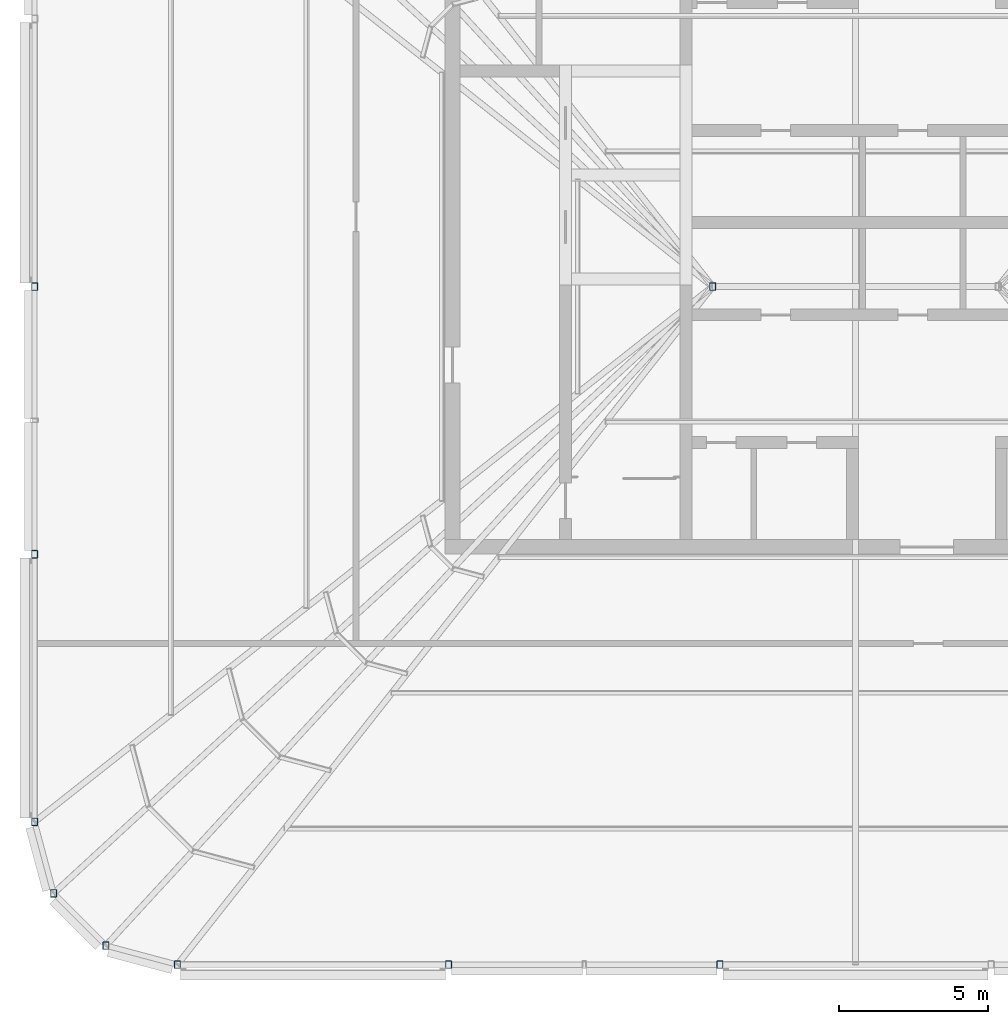
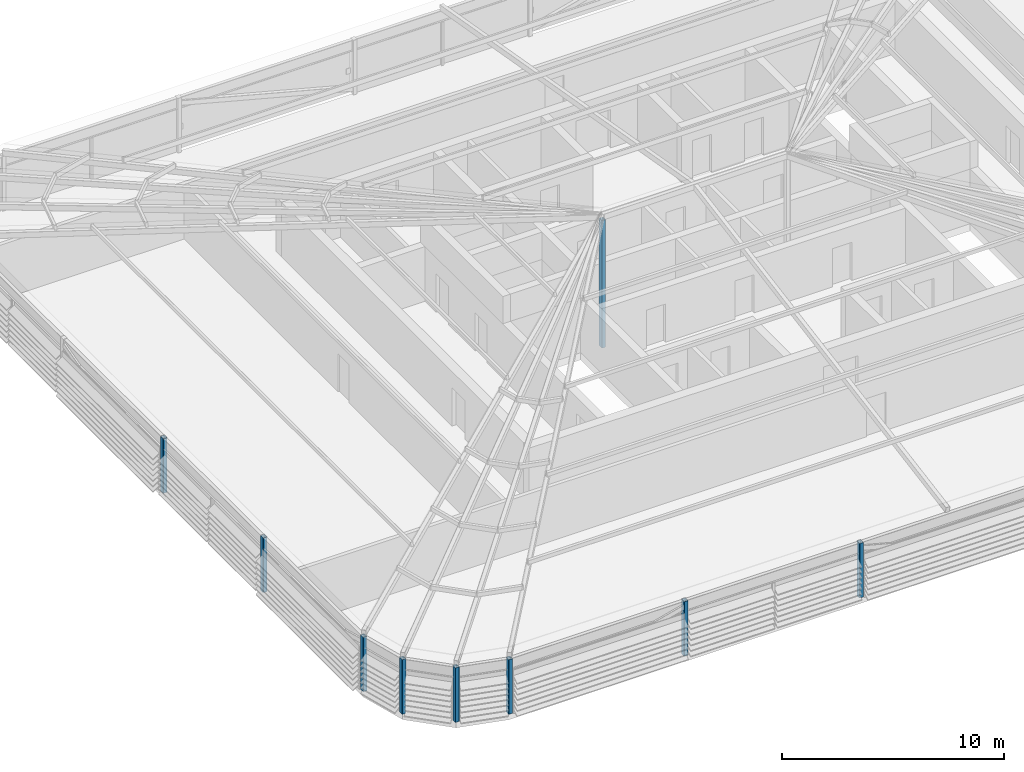
# One storey, part 1 of 46: 9 columns.
"""IFC4 building model written with IfcOpenShell, lengths in metres."""

import ifcopenshell
import ifcopenshell.guid

model = None  # the IFC model being written
_history = None  # IfcOwnerHistory: only IFC2X3 demands one
_inside = {}  # id of a spatial element -> (the spatial element, [elements in it])
_under = {}  # id of a project, library or spatial element -> (it, [spatial elements below it])
_declared = {}  # id of a project -> (the project, [libraries it declares])
_typed = {}  # id of a type object -> (the type object, [elements of that type])
_made_of = {}  # id of a material, layer set ... -> (it, [elements and type objects made of it])


def new_model(schema):
    """Start an empty IFC model of exactly this schema.

    Asked for "IFC4X3", IfcOpenShell would pick the latest addendum, in which some entities
    have other attributes; the version numbers below select the first issue.
    IFC2X3 requires an IfcOwnerHistory on every rooted entity: one is made here for all.
    """
    global model, _history
    if schema == "IFC4X3":
        model = ifcopenshell.file(schema_version=(4, 3, 0, 0))
    else:
        model = ifcopenshell.file(schema=schema)
    _inside.clear()
    _under.clear()
    _declared.clear()
    _typed.clear()
    _made_of.clear()
    _history = None
    if model.schema == "IFC2X3":
        org = make("IfcOrganization", Name="unknown")
        user = make(
            "IfcPersonAndOrganization",
            ThePerson=make("IfcPerson", FamilyName="unknown"),
            TheOrganization=org,
        )
        app = make(
            "IfcApplication",
            ApplicationDeveloper=org,
            Version="unknown",
            ApplicationFullName="unknown",
            ApplicationIdentifier="unknown",
        )
        _history = make(
            "IfcOwnerHistory",
            OwningUser=user,
            OwningApplication=app,
            ChangeAction="ADDED",
            CreationDate=0,
        )
    return model


def make(cls, **values):
    """One entity of the class cls with the attributes given. An attribute that is None is left unset."""
    return model.create_entity(
        cls, **{name: value for name, value in values.items() if value is not None}
    )


def rooted(cls, **values):
    """An entity with a GlobalId (a new one), such as an element, a storey or a relation."""
    return make(cls, GlobalId=ifcopenshell.guid.new(), OwnerHistory=_history, **values)


def si_unit(unit_type, name, prefix=None):
    """IfcSIUnit, for example si_unit("LENGTHUNIT", "METRE", prefix="MILLI")."""
    return make("IfcSIUnit", UnitType=unit_type, Prefix=prefix, Name=name)


def assignment(units):
    """IfcUnitAssignment: the units of a project."""
    return None if units is None else make("IfcUnitAssignment", Units=units)


def point(xyz):
    """IfcCartesianPoint."""
    return None if xyz is None else make("IfcCartesianPoint", Coordinates=xyz)


def direction(xyz):
    """IfcDirection."""
    return None if xyz is None else make("IfcDirection", DirectionRatios=xyz)


def frame(location, z_axis=None, x_axis=None):
    """IfcAxis2Placement3D, a coordinate frame: its origin and axes. An axis left out is left unset."""
    return make(
        "IfcAxis2Placement3D",
        Location=point(location),
        Axis=direction(z_axis),
        RefDirection=direction(x_axis),
    )


def frame_2d(location, x_axis=None):
    """IfcAxis2Placement2D, a coordinate frame in the plane: its origin and x axis."""
    return make(
        "IfcAxis2Placement2D", Location=point(location), RefDirection=direction(x_axis)
    )


def origin():
    """The frame at (0, 0, 0) with its axes left unset."""
    return frame((0.0, 0.0, 0.0))


def origin_2d():
    """The frame at (0, 0) in the plane with its x axis left unset."""
    return frame_2d((0.0, 0.0))


def place(relative_to, where):
    """IfcLocalPlacement: puts the frame where relative to a parent placement (None: the world)."""
    return make(
        "IfcLocalPlacement", PlacementRelTo=relative_to, RelativePlacement=where
    )


def context(
    kind, dimensions, precision=None, world=None, true_north=None, identifier=None
):
    """IfcGeometricRepresentationContext, for example the 3D "Model" context."""
    return make(
        "IfcGeometricRepresentationContext",
        ContextIdentifier=identifier,
        ContextType=kind,
        CoordinateSpaceDimension=dimensions,
        Precision=precision,
        WorldCoordinateSystem=world,
        TrueNorth=true_north,
    )


def subcontext(parent, identifier, kind, view, scale=None):
    """IfcGeometricRepresentationSubContext, for example "Body" below "Model"."""
    return make(
        "IfcGeometricRepresentationSubContext",
        ContextIdentifier=identifier,
        ContextType=kind,
        ParentContext=parent,
        TargetScale=scale,
        TargetView=view,
    )


def project(units=None, contexts=None):
    """IfcProject with its units and contexts."""
    return rooted(
        "IfcProject",
        Name="project",
        RepresentationContexts=contexts,
        UnitsInContext=assignment(units),
    )


def spatial(cls, under=None, at=None, **own):
    """A site, building, storey or space (cls), placed at a placement, below another one or the project."""
    s = rooted(cls, ObjectPlacement=at, **own)
    if under is not None:
        _under.setdefault(under.id(), (under, []))[1].append(s)
    return s


def profile(cls, at=None, kind="AREA", **sizes):
    """A parametric profile (cls). Its sizes go by their IFC names, for example OverallWidth=200.0."""
    return make(cls, ProfileType=kind, Position=at, **sizes)


def hollow_rectangle(**sizes):
    """IfcRectangleHollowProfileDef."""
    return profile("IfcRectangleHollowProfileDef", **sizes)


def extrude(swept, where, along, depth):
    """IfcExtrudedAreaSolid: the profile swept, set in the frame where, extruded along a direction by depth."""
    return make(
        "IfcExtrudedAreaSolid",
        SweptArea=swept,
        Position=where,
        ExtrudedDirection=direction(along),
        Depth=depth,
    )


def shape(context_of_items, identifier, shape_type, items):
    """IfcShapeRepresentation: the items that make up one representation, for example the "Body"."""
    return make(
        "IfcShapeRepresentation",
        ContextOfItems=context_of_items,
        RepresentationIdentifier=identifier,
        RepresentationType=shape_type,
        Items=items,
    )


def material(Name=None, Category=None):
    """IfcMaterial."""
    return make("IfcMaterial", Name=Name, Category=Category)


def material_profile(
    of_material, cross_section, Name=None, Category=None, Priority=None
):
    """IfcMaterialProfile: a cross section and its material."""
    return make(
        "IfcMaterialProfile",
        Name=Name,
        Material=of_material,
        Profile=cross_section,
        Priority=Priority,
        Category=Category,
    )


def profile_set(profiles, Name=None, composite=None):
    """IfcMaterialProfileSet."""
    return make(
        "IfcMaterialProfileSet",
        Name=Name,
        MaterialProfiles=profiles,
        CompositeProfile=composite,
    )


def made_of(thing, what):
    """Note that an element or type object is made of a material, layer set ...; save() writes the relation."""
    if what is not None:
        _made_of.setdefault(what.id(), (what, []))[1].append(thing)
    return thing


def type_object(cls, material=None, **own):
    """A type object (cls), such as IfcWallType, which elements share."""
    return made_of(rooted(cls, **own), material)


def element(
    cls,
    number,
    at=None,
    inside=None,
    cuts=None,
    type_object=None,
    material=None,
    context=None,
    identifier="Body",
    shape_type=None,
    held_by="IfcProductDefinitionShape",
    body=None,
    shapes=None,
    **own,
):
    """One element of the class cls, such as IfcWall. Its Tag is "e" and its number.

    at: its placement. inside: the storey or other place that contains it. cuts: it is an
    opening in that element (IfcRelVoidsElement). A single representation is given by context,
    identifier, shape_type and body (its items); several are given by shapes. held_by: the class
    of the entity that holds the representations. save() writes the other relations.
    """
    e = rooted(cls, Tag="e%d" % number, ObjectPlacement=at, **own)
    if body is not None:
        shapes = [shape(context, identifier, shape_type, body)]
    if shapes is not None:
        e.Representation = make(held_by, Representations=shapes)
    if inside is not None:
        _inside.setdefault(inside.id(), (inside, []))[1].append(e)
    if cuts is not None:
        rooted(
            "IfcRelVoidsElement", RelatingBuildingElement=cuts, RelatedOpeningElement=e
        )
    if type_object is not None:
        _typed.setdefault(type_object.id(), (type_object, []))[1].append(e)
    return made_of(e, material)


def aggregate(whole, parts):
    """IfcRelAggregates: a whole, such as a stair, and the parts it consists of."""
    return rooted("IfcRelAggregates", RelatingObject=whole, RelatedObjects=parts)


def save(model, path):
    """Write the relations noted so far, then the file.

    IfcRelAggregates (storeys below a building ...), IfcRelContainedInSpatialStructure (elements
    in a storey), IfcRelDefinesByType, IfcRelAssociatesMaterial and IfcRelDeclares: one each for
    every whole, place, type object, material and project.
    """
    for whole, parts in _under.values():
        aggregate(whole, parts)
    for where, things in _inside.values():
        rooted(
            "IfcRelContainedInSpatialStructure",
            RelatedElements=things,
            RelatingStructure=where,
        )
    for kind, things in _typed.values():
        rooted("IfcRelDefinesByType", RelatedObjects=things, RelatingType=kind)
    for what, things in _made_of.values():
        rooted("IfcRelAssociatesMaterial", RelatedObjects=things, RelatingMaterial=what)
    for by, libraries in _declared.values():
        rooted("IfcRelDeclares", RelatingContext=by, RelatedDefinitions=libraries)
    model.write(path)


model = new_model("IFC4")

# Units and contexts
model_context = context("Model", 3, precision=1e-05, world=origin(), true_north=direction((0.0, 1.0)))
body_context = subcontext(model_context, "Body", "Model", "MODEL_VIEW")
ifc_project = project(units=[si_unit("LENGTHUNIT", "METRE"), si_unit("AREAUNIT", "SQUARE_METRE"), si_unit("VOLUMEUNIT", "CUBIC_METRE"), si_unit("PLANEANGLEUNIT", "RADIAN"), si_unit("MASSUNIT", "GRAM", prefix="KILO")], contexts=[model_context])

# Site, building, storey
site_placement = place(None, origin())
site = spatial("IfcSite", under=ifc_project, at=site_placement, CompositionType="ELEMENT")
building_placement = place(site_placement, origin())
building = spatial("IfcBuilding", under=site, at=building_placement, Name="Madar Terraces", CompositionType="ELEMENT")
storey_placement = place(building_placement, frame((0.0, 0.0, 317.300048828125)))
storey = spatial("IfcBuildingStorey", under=building, at=storey_placement, Name="L82", CompositionType="ELEMENT", Elevation=317.300048828125)

# Columns
ifc_material = material(Name="Steel ASTM A500 Grade C", Category="steel")
ifc_material_profile = material_profile(ifc_material, hollow_rectangle(XDim=0.203125, YDim=0.25390625, WallThickness=0.009521484375, InnerFilletRadius=0.00439453125, OuterFilletRadius=0.01318359375, at=origin_2d()), Name="HSS10x8x.375")
ifc_profile_set = profile_set([ifc_material_profile], Name="Steel ASTM A500 Grade C")
column_type = type_object("IfcColumnType", Name="CF1 HSS10x8x.375", PredefinedType="COLUMN", material=ifc_profile_set)
for number, where, z_axis, x_axis, name in (
    (1, (6.0, 1.199951171875, 0.0), (0.0, 0.0, 1.0), (1.0, 0.0, 0.0), "Crown frame column CF1"),
    (2, (15.1201171875, 1.199951171875, 0.0), (0.0, 0.0, 1.0), (1.0, 0.0, 0.0), "Crown frame column CF1"),
    (3, (24.239990234375, 1.199951171875, 0.0), (0.0, 0.0, 1.0), (1.0, 0.0, 0.0), "Crown frame column CF1"),
    (4, (1.199951171875, 24.0, 0.0), (0.0, 0.0, 1.0), (1.0, 0.0, 0.0), "Crown frame column CF1"),
    (5, (1.199951171875, 15.0, 0.0), (0.0, 0.0, 1.0), (1.0, 0.0, 0.0), "Crown frame column CF1"),
    (6, (1.199951171875, 6.0, 0.0), (0.0, 0.0, 1.0), (1.0, 0.0, 0.0), "Crown frame column CF1"),
    (7, (1.843017578125, 3.60009765625, 0.0), (0.0, 0.0, 1.0), (1.0, 0.0, 0.0), "Crown frame column CF1"),
    (8, (3.60009765625, 1.843017578125, 0.0), (0.0, 0.0, 1.0), (1.0, 0.0, 0.0), "Crown frame column CF1"),
):
    element("IfcColumn", number, at=place(storey_placement, frame(where, z_axis=z_axis, x_axis=x_axis)), inside=storey, type_object=column_type, Name=name, PredefinedType="COLUMN", context=body_context, shape_type="SweptSolid", body=[
        extrude(hollow_rectangle(XDim=0.203125, YDim=0.25390625, WallThickness=0.009521484375, InnerFilletRadius=0.00439453125, OuterFilletRadius=0.01318359375, at=origin_2d()), origin(), (0.0, 0.0, 1.0), 3.0),
    ])
column_placement = place(storey_placement, frame((24.0, 24.0, 0.0), z_axis=(0.0, 0.0, 1.0), x_axis=(1.0, 0.0, 0.0)))
element("IfcColumn", 9, at=column_placement, inside=storey, type_object=column_type, Name="Crown frame roof post CF1", PredefinedType="COLUMN", context=body_context, shape_type="SweptSolid", body=[
    extrude(hollow_rectangle(XDim=0.203125, YDim=0.25390625, WallThickness=0.009521484375, InnerFilletRadius=0.00439453125, OuterFilletRadius=0.01318359375, at=origin_2d()), origin(), (0.0, 0.0, 1.0), 6.995361328125),
])

save(model, "model.ifc")
